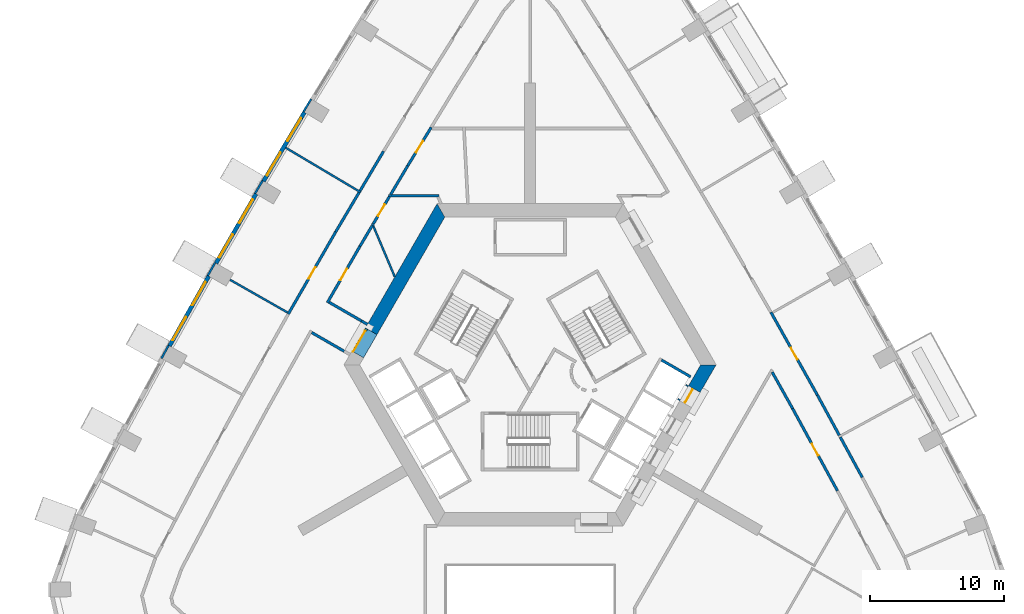
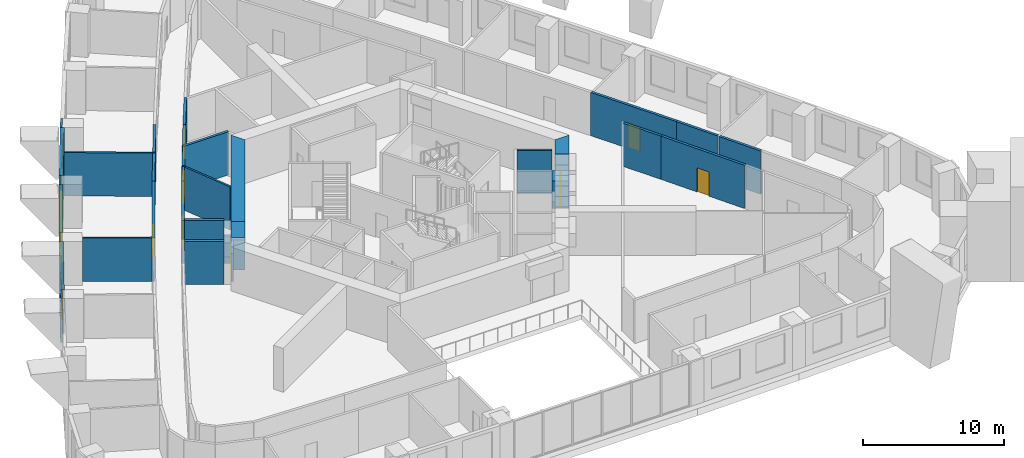
# One storey, part 7 of 14: 33 walls, 8 doors, 6 windows, 14 openings.
"""IFC4 building model written with IfcOpenShell, lengths in metres."""

from ifc_helpers import new_model, si_unit, direction, frame, frame_2d, origin, place, context, subcontext, project, spatial, polyline, rectangle, outline, extrude, material, layer, layer_set, type_object, element, fill, save


model = new_model("IFC4")

# Units and contexts
model_context = context("Model", 3, precision=1e-05, world=origin(), true_north=direction((0.0, 1.0)))
body_context = subcontext(model_context, "Body", "Model", "MODEL_VIEW")
ifc_project = project(units=[si_unit("LENGTHUNIT", "METRE"), si_unit("AREAUNIT", "SQUARE_METRE"), si_unit("VOLUMEUNIT", "CUBIC_METRE"), si_unit("PLANEANGLEUNIT", "RADIAN"), si_unit("MASSUNIT", "GRAM", prefix="KILO")], contexts=[model_context])

# Site, building, storey
site_placement = place(None, origin())
site = spatial("IfcSite", under=ifc_project, at=site_placement, CompositionType="ELEMENT")
building_placement = place(site_placement, origin())
building = spatial("IfcBuilding", under=site, at=building_placement, Name="Entoto Arch Interchange Tower", CompositionType="ELEMENT")
storey_placement = place(building_placement, frame((0.0, 0.0, 176.0)))
storey = spatial("IfcBuildingStorey", under=building, at=storey_placement, Name="L39", CompositionType="ELEMENT", Elevation=176.0)

# Wall, opening, door
ifc_material_1 = material(Name="Reinforced concrete C40/50", Category="concrete")
ifc_layer_1 = layer(ifc_material_1, 0.199951171875)
ifc_layer_set_1 = layer_set([ifc_layer_1], Name="Reinforced concrete C40/50")
wall_type_1 = type_object("IfcWallType", Name="CORE GAP INFILL WALL", PredefinedType="PARTITIONING", material=ifc_layer_set_1)
wall_1_placement = place(storey_placement, frame((-12.179931640625, 5.201904296875, 0.0), z_axis=(0.0, 0.0, 1.0), x_axis=(-0.50002537861, -0.866010750942, 0.0)))
wall_1 = element("IfcWall", 1, at=wall_1_placement, inside=storey, type_object=wall_type_1, Name="wall:L39:gap3", PredefinedType="PARTITIONING", context=body_context, shape_type="SweptSolid", body=[
    extrude(rectangle(XDim=2.0, YDim=0.199951171875, at=frame_2d((1.0, 0.0))), origin(), (0.0, 0.0, 1.0), 2.39990234375),
])
opening_1_placement = place(wall_1_placement, frame((0.18994140625, 0.0, 0.0)))
opening_1 = element("IfcOpeningElement", 2, at=opening_1_placement, cuts=wall_1, Name="Opening L39-D93", PredefinedType="OPENING", context=body_context, shape_type="SweptSolid", body=[
    extrude(rectangle(XDim=1.800048828125, YDim=2.10009765625, at=frame_2d((0.89990234375, 1.050048828125))), frame((0.0, 0.10986328125, 0.0), z_axis=(0.0, -1.0, 0.0), x_axis=(1.0, 0.0, 0.0)), (0.0, 0.0, 1.0), 0.219970703125),
])
ifc_material_2 = material(Name="Fire-rated Steel S235 door and frame", Category="steel")
door_type_1 = type_object("IfcDoorType", Name="DOOR FD-18 1800x2100", OperationType="DOUBLE_DOOR_SINGLE_SWING", PredefinedType="DOOR", material=ifc_material_2)
door_1_placement = place(opening_1_placement, origin())
door_1 = element("IfcDoor", 3, at=door_1_placement, inside=storey, type_object=door_type_1, Name="door:L39:gap3", OperationType="DOUBLE_DOOR_SINGLE_SWING", OverallHeight=2.10009765625, OverallWidth=1.800048828125, PredefinedType="DOOR", context=body_context, shape_type="SweptSolid", body=[
    extrude(rectangle(XDim=1.800048828125, YDim=2.10009765625, at=frame_2d((0.89990234375, 1.050048828125))), frame((0.0, 0.02490234375, 0.0), z_axis=(0.0, -1.0, 0.0), x_axis=(1.0, 0.0, 0.0)), (0.0, 0.0, 1.0), 0.050048828125),
])
fill(opening_1, door_1)

# Walls
ifc_material_3 = material(Name="Concrete C50/60", Category="concrete")
ifc_layer_2 = layer(ifc_material_3, 1.0)
ifc_layer_set_2 = layer_set([ifc_layer_2], Name="Concrete C50/60")
wall_type_2 = type_object("IfcWallType", Name="Core wall 1000 C50/60", PredefinedType="SHEAR", material=ifc_layer_set_2)
wall_2_placement = place(storey_placement, frame((0.0, 0.0, -0.39990234375)))
element("IfcWall", 4, at=wall_2_placement, inside=storey, type_object=wall_type_2, Name="Core wall NW L39", PredefinedType="SHEAR", context=body_context, shape_type="SweptSolid", body=[
    extrude(outline(polyline([(-12.26708984375, 5.251953125), (-11.402099609375, 4.751953125), (-6.35107421875, 13.5), (-6.927978515625, 14.5), (-12.26708984375, 5.251953125)])), origin(), (0.0, 0.0, 1.0), 4.199951171875),
])
wall_3_placement = place(storey_placement, frame((0.0, 0.0, 3.60009765625)))
element("IfcWall", 5, at=wall_3_placement, inside=storey, type_object=wall_type_2, Name="Core wall lintel NW L39", PredefinedType="SHEAR", context=body_context, shape_type="SweptSolid", body=[
    extrude(outline(polyline([(-13.26708984375, 3.52001953125), (-12.402099609375, 3.02001953125), (-11.402099609375, 4.751953125), (-12.26708984375, 5.251953125), (-13.26708984375, 3.52001953125)])), origin(), (0.0, 0.0, 1.0), 0.199951171875),
])
wall_4_placement = place(storey_placement, frame((0.0, 0.0, -0.39990234375)))
element("IfcWall", 6, at=wall_4_placement, inside=storey, type_object=wall_type_2, Name="Core wall SE L39", PredefinedType="SHEAR", context=body_context, shape_type="SweptSolid", body=[
    extrude(outline(polyline([(11.801025390625, 0.93994140625), (12.6669921875, 0.43994140625), (13.85595703125, 2.5), (12.701904296875, 2.5), (11.801025390625, 0.93994140625)])), origin(), (0.0, 0.0, 1.0), 4.199951171875),
])

# Wall, opening, door
ifc_material_4 = material(Name="Concrete C40/50", Category="concrete")
ifc_layer_3 = layer(ifc_material_4, 1.199951171875)
ifc_layer_set_3 = layer_set([ifc_layer_3], Name="Concrete C40/50")
wall_type_3 = type_object("IfcWallType", Name="LIFT LANDING INFILL WALL", PredefinedType="STANDARD", material=ifc_layer_set_3)
wall_5_placement = place(storey_placement, frame((11.498046875, -0.385009765625, 0.0), z_axis=(0.0, 0.0, 1.0), x_axis=(0.500221244143, 0.865897630733, 0.0)))
wall_5 = element("IfcWall", 7, at=wall_5_placement, inside=storey, type_object=wall_type_3, Name="Lift landing infill wall LR8 L39", PredefinedType="STANDARD", context=body_context, shape_type="SweptSolid", body=[
    extrude(rectangle(XDim=1.29931640625, YDim=1.199951171875, at=frame_2d((0.649658203125, 0.0))), origin(), (0.0, 0.0, 1.0), 2.39990234375),
])
opening_2_placement = place(wall_5_placement, frame((0.10009765625, 0.0, 0.0)))
opening_2 = element("IfcOpeningElement", 8, at=opening_2_placement, cuts=wall_5, Name="Opening LD-LR8-L39", PredefinedType="OPENING", context=body_context, shape_type="SweptSolid", body=[
    extrude(rectangle(XDim=1.10009765625, YDim=2.300048828125, at=frame_2d((0.550048828125, 1.14990234375))), frame((0.0, 0.60986328125, 0.0), z_axis=(0.0, -1.0, 0.0), x_axis=(1.0, 0.0, 0.0)), (0.0, 0.0, 1.0), 1.219970703125),
])
ifc_material_5 = material(Name="Stainless steel 1.4301 panels", Category="steel")
door_type_2 = type_object("IfcDoorType", Name="LIFT LANDING DOOR LD2 1100x2300", OperationType="SLIDING_TO_LEFT", PredefinedType="DOOR", material=ifc_material_5)
door_2_placement = place(opening_2_placement, origin())
door_2 = element("IfcDoor", 9, at=door_2_placement, inside=storey, type_object=door_type_2, Name="Lift landing door LR8 L39", OperationType="SLIDING_TO_LEFT", OverallHeight=2.300048828125, OverallWidth=1.10009765625, PredefinedType="DOOR", context=body_context, shape_type="SweptSolid", body=[
    extrude(rectangle(XDim=1.10009765625, YDim=2.300048828125, at=frame_2d((0.550048828125, 1.14990234375))), frame((0.0, 0.02490234375, 0.0), z_axis=(0.0, -1.0, 0.0), x_axis=(1.0, 0.0, 0.0)), (0.0, 0.0, 1.0), 0.050048828125),
])
fill(opening_2, door_2)

# Walls
ifc_layer_4 = layer(ifc_material_4, 0.199951171875)
ifc_layer_set_4 = layer_set([ifc_layer_4], Name="Concrete C40/50")
wall_type_4 = type_object("IfcWallType", Name="LIFT SHAFT WALL 200", PredefinedType="STANDARD", material=ifc_layer_set_4)
wall_6_placement = place(storey_placement, frame((9.7880859375, 2.85302734375, 0.0), z_axis=(0.0, 0.0, 1.0), x_axis=(0.865998541277, -0.500046524342, 0.0)))
element("IfcWall", 10, at=wall_6_placement, inside=storey, type_object=wall_type_4, Name="Shaft wall SE3 cross 5", PredefinedType="STANDARD", context=body_context, shape_type="SweptSolid", body=[
    extrude(rectangle(XDim=2.499755859375, YDim=0.199951171875, at=frame_2d((1.25, 0.0))), origin(), (0.0, 0.0, 1.0), 3.75),
])
ifc_material_6 = material(Name="Gypsum board partition on steel studs", Category="steel")
ifc_layer_5 = layer(ifc_material_6, 0.14990234375)
ifc_layer_set_5 = layer_set([ifc_layer_5], Name="Gypsum board partition on steel studs")
wall_type_5 = type_object("IfcWallType", Name="PARTITION 150", PredefinedType="PARTITIONING", material=ifc_layer_set_5)
wall_7_placement = place(storey_placement, frame((-10.075927734375, 9.047119140625, 0.0), z_axis=(0.0, 0.0, 1.0), x_axis=(-0.389223462263, 0.921143363665, 0.0)))
element("IfcWall", 11, at=wall_7_placement, inside=storey, type_object=wall_type_5, Name="wall:L39:p082", PredefinedType="PARTITIONING", context=body_context, shape_type="SweptSolid", body=[
    extrude(rectangle(XDim=4.32177734375, YDim=0.14990234375, at=frame_2d((2.160888671875, 0.0))), origin(), (0.0, 0.0, 1.0), 3.75),
])
wall_8_placement = place(storey_placement, frame((-12.613037109375, 15.347900390625, 0.0), z_axis=(0.0, 0.0, 1.0), x_axis=(-0.85976815765, 0.510684555368, 0.0)))
element("IfcWall", 12, at=wall_8_placement, inside=storey, type_object=wall_type_5, Name="wall:L39:p122", PredefinedType="PARTITIONING", context=body_context, shape_type="SweptSolid", body=[
    extrude(rectangle(XDim=6.499267578125, YDim=0.14990234375, at=frame_2d((3.24951171875, 0.0))), origin(), (0.0, 0.0, 1.0), 3.75),
])
wall_9_placement = place(storey_placement, frame((-18.06201171875, 6.39501953125, 0.0), z_axis=(0.0, 0.0, 1.0), x_axis=(-0.869113540562, 0.494612629854, 0.0)))
element("IfcWall", 13, at=wall_9_placement, inside=storey, type_object=wall_type_5, Name="wall:L39:p123", PredefinedType="PARTITIONING", context=body_context, shape_type="SweptSolid", body=[
    extrude(rectangle(XDim=4.92919921875, YDim=0.14990234375, at=frame_2d((2.464599609375, 0.0))), origin(), (0.0, 0.0, 1.0), 3.75),
])

# Wall, opening, door
ifc_layer_6 = layer(ifc_material_6, 0.199951171875)
ifc_layer_set_6 = layer_set([ifc_layer_6], Name="Gypsum board partition on steel studs")
wall_type_6 = type_object("IfcWallType", Name="PARTITION 200", PredefinedType="PARTITIONING", material=ifc_layer_set_6)
wall_10_placement = place(storey_placement, frame((-10.48388671875, 15.013916015625, 0.0), z_axis=(0.0, 0.0, 1.0), x_axis=(-0.510627855782, -0.859801833506, 0.0)))
wall_10 = element("IfcWall", 14, at=wall_10_placement, inside=storey, type_object=wall_type_6, Name="wall:L39:p001", PredefinedType="PARTITIONING", context=body_context, shape_type="SweptSolid", body=[
    extrude(rectangle(XDim=2.34228515625, YDim=0.199951171875, at=frame_2d((1.171142578125, 0.0))), origin(), (0.0, 0.0, 1.0), 3.75),
])
opening_3_placement = place(wall_10_placement, frame((0.6708984375, 0.0, 0.0)))
opening_3 = element("IfcOpeningElement", 15, at=opening_3_placement, cuts=wall_10, Name="Opening L39-D28", PredefinedType="OPENING", context=body_context, shape_type="SweptSolid", body=[
    extrude(rectangle(XDim=1.0, YDim=2.10009765625, at=frame_2d((0.5, 1.050048828125))), frame((0.0, 0.10986328125, 0.0), z_axis=(0.0, -1.0, 0.0), x_axis=(1.0, 0.0, 0.0)), (0.0, 0.0, 1.0), 0.219970703125),
])
ifc_material_7 = material(Name="Timber door leaf in Steel S235 frame", Category="steel")
door_type_3 = type_object("IfcDoorType", Name="DOOR DS-10 1000x2100", OperationType="SINGLE_SWING_LEFT", PredefinedType="DOOR", material=ifc_material_7)
door_3_placement = place(opening_3_placement, origin())
door_3 = element("IfcDoor", 16, at=door_3_placement, inside=storey, type_object=door_type_3, Name="door:L39:28", OperationType="SINGLE_SWING_LEFT", OverallHeight=2.10009765625, OverallWidth=1.0, PredefinedType="DOOR", context=body_context, shape_type="SweptSolid", body=[
    extrude(rectangle(XDim=1.0, YDim=2.10009765625, at=frame_2d((0.5, 1.050048828125))), frame((0.0, 0.02490234375, 0.0), z_axis=(0.0, -1.0, 0.0), x_axis=(1.0, 0.0, 0.0)), (0.0, 0.0, 1.0), 0.050048828125),
])
fill(opening_3, door_3)

# Wall
wall_11_placement = place(storey_placement, frame((-11.757080078125, 12.87109375, 0.0), z_axis=(0.0, 0.0, 1.0), x_axis=(-0.510614478889, -0.85980977777, 0.0)))
element("IfcWall", 17, at=wall_11_placement, inside=storey, type_object=wall_type_6, Name="wall:L39:p002", PredefinedType="PARTITIONING", context=body_context, shape_type="SweptSolid", body=[
    extrude(rectangle(XDim=1.787841796875, YDim=0.199951171875, at=frame_2d((0.89404296875, 0.0))), origin(), (0.0, 0.0, 1.0), 3.75),
])

# Wall, opening, door
wall_12_placement = place(storey_placement, frame((-12.669921875, 11.333984375, 0.0), z_axis=(0.0, 0.0, 1.0), x_axis=(-0.500035159864, -0.866005103276, 0.0)))
wall_12 = element("IfcWall", 18, at=wall_12_placement, inside=storey, type_object=wall_type_6, Name="wall:L39:p003", PredefinedType="PARTITIONING", context=body_context, shape_type="SweptSolid", body=[
    extrude(rectangle(XDim=4.865966796875, YDim=0.199951171875, at=frame_2d((2.43310546875, 0.0))), origin(), (0.0, 0.0, 1.0), 3.75),
])
opening_4_placement = place(wall_12_placement, frame((1.93310546875, 0.0, 0.0)))
opening_4 = element("IfcOpeningElement", 19, at=opening_4_placement, cuts=wall_12, Name="Opening L39-D29", PredefinedType="OPENING", context=body_context, shape_type="SweptSolid", body=[
    extrude(rectangle(XDim=1.0, YDim=2.10009765625, at=frame_2d((0.5, 1.050048828125))), frame((0.0, 0.10986328125, 0.0), z_axis=(0.0, -1.0, 0.0), x_axis=(1.0, 0.0, 0.0)), (0.0, 0.0, 1.0), 0.219970703125),
])
door_4_placement = place(opening_4_placement, origin())
door_4 = element("IfcDoor", 20, at=door_4_placement, inside=storey, type_object=door_type_3, Name="door:L39:29", OperationType="SINGLE_SWING_LEFT", OverallHeight=2.10009765625, OverallWidth=1.0, PredefinedType="DOOR", context=body_context, shape_type="SweptSolid", body=[
    extrude(rectangle(XDim=1.0, YDim=2.10009765625, at=frame_2d((0.5, 1.050048828125))), frame((0.0, 0.02490234375, 0.0), z_axis=(0.0, -1.0, 0.0), x_axis=(1.0, 0.0, 0.0)), (0.0, 0.0, 1.0), 0.050048828125),
])
fill(opening_4, door_4)

# Wall
wall_13_placement = place(storey_placement, frame((-14.966064453125, 7.156982421875, 0.0), z_axis=(0.0, 0.0, 1.0), x_axis=(0.86600487494, -0.500035555316, 0.0)))
element("IfcWall", 21, at=wall_13_placement, inside=storey, type_object=wall_type_6, Name="wall:L39:p004", PredefinedType="PARTITIONING", context=body_context, shape_type="SweptSolid", body=[
    extrude(rectangle(XDim=2.789794921875, YDim=0.199951171875, at=frame_2d((1.39501953125, 0.0))), origin(), (0.0, 0.0, 1.0), 3.75),
])

# Wall, opening, door
wall_14_placement = place(storey_placement, frame((-7.364990234375, 20.18505859375, 0.0), z_axis=(0.0, 0.0, 1.0), x_axis=(-0.521352973407, -0.853341125881, 0.0)))
wall_14 = element("IfcWall", 22, at=wall_14_placement, inside=storey, type_object=wall_type_6, Name="wall:L39:p010", PredefinedType="PARTITIONING", context=body_context, shape_type="SweptSolid", body=[
    extrude(rectangle(XDim=3.358642578125, YDim=0.199951171875, at=frame_2d((1.67919921875, 0.0))), origin(), (0.0, 0.0, 1.0), 3.75),
])
opening_5_placement = place(wall_14_placement, frame((1.179931640625, 0.0, 0.0)))
opening_5 = element("IfcOpeningElement", 23, at=opening_5_placement, cuts=wall_14, Name="Opening L39-D24", PredefinedType="OPENING", context=body_context, shape_type="SweptSolid", body=[
    extrude(rectangle(XDim=1.0, YDim=2.10009765625, at=frame_2d((0.5, 1.050048828125))), frame((0.0, 0.10986328125, 0.0), z_axis=(0.0, -1.0, 0.0), x_axis=(1.0, 0.0, 0.0)), (0.0, 0.0, 1.0), 0.219970703125),
])
door_5_placement = place(opening_5_placement, origin())
door_5 = element("IfcDoor", 24, at=door_5_placement, inside=storey, type_object=door_type_3, Name="door:L39:24", OperationType="SINGLE_SWING_LEFT", OverallHeight=2.10009765625, OverallWidth=1.0, PredefinedType="DOOR", context=body_context, shape_type="SweptSolid", body=[
    extrude(rectangle(XDim=1.0, YDim=2.10009765625, at=frame_2d((0.5, 1.050048828125))), frame((0.0, 0.02490234375, 0.0), z_axis=(0.0, -1.0, 0.0), x_axis=(1.0, 0.0, 0.0)), (0.0, 0.0, 1.0), 0.050048828125),
])
fill(opening_5, door_5)

# Wall
wall_15_placement = place(storey_placement, frame((-9.115966796875, 17.319091796875, 0.0), z_axis=(0.0, 0.0, 1.0), x_axis=(-0.510422773569, -0.859923596735, 0.0)))
element("IfcWall", 25, at=wall_15_placement, inside=storey, type_object=wall_type_6, Name="wall:L39:p011", PredefinedType="PARTITIONING", context=body_context, shape_type="SweptSolid", body=[
    extrude(rectangle(XDim=2.48046875, YDim=0.199951171875, at=frame_2d((1.240234375, 0.0))), origin(), (0.0, 0.0, 1.0), 3.75),
])

# Wall, opening, door
wall_16_placement = place(storey_placement, frame((22.887939453125, -6.8779296875, 0.0), z_axis=(0.0, 0.0, 1.0), x_axis=(-0.478665365973, 0.877997418799, 0.0)))
wall_16 = element("IfcWall", 26, at=wall_16_placement, inside=storey, type_object=wall_type_6, Name="wall:L39:p023", PredefinedType="PARTITIONING", context=body_context, shape_type="SweptSolid", body=[
    extrude(rectangle(XDim=6.961181640625, YDim=0.199951171875, at=frame_2d((3.48046875, 0.0))), origin(), (0.0, 0.0, 1.0), 3.75),
])
opening_6_placement = place(wall_16_placement, frame((2.98095703125, 0.0, 0.0)))
opening_6 = element("IfcOpeningElement", 27, at=opening_6_placement, cuts=wall_16, Name="Opening L39-D20", PredefinedType="OPENING", context=body_context, shape_type="SweptSolid", body=[
    extrude(rectangle(XDim=1.0, YDim=2.10009765625, at=frame_2d((0.5, 1.050048828125))), frame((0.0, 0.10986328125, 0.0), z_axis=(0.0, -1.0, 0.0), x_axis=(1.0, 0.0, 0.0)), (0.0, 0.0, 1.0), 0.219970703125),
])
door_6_placement = place(opening_6_placement, origin())
door_6 = element("IfcDoor", 28, at=door_6_placement, inside=storey, type_object=door_type_3, Name="door:L39:20", OperationType="SINGLE_SWING_LEFT", OverallHeight=2.10009765625, OverallWidth=1.0, PredefinedType="DOOR", context=body_context, shape_type="SweptSolid", body=[
    extrude(rectangle(XDim=1.0, YDim=2.10009765625, at=frame_2d((0.5, 1.050048828125))), frame((0.0, 0.02490234375, 0.0), z_axis=(0.0, -1.0, 0.0), x_axis=(1.0, 0.0, 0.0)), (0.0, 0.0, 1.0), 0.050048828125),
])
fill(opening_6, door_6)

# Walls
wall_17_placement = place(storey_placement, frame((19.555908203125, -0.76611328125, 0.0), z_axis=(0.0, 0.0, 1.0), x_axis=(-0.489198731197, 0.872172346154, 0.0)))
element("IfcWall", 29, at=wall_17_placement, inside=storey, type_object=wall_type_6, Name="wall:L39:p024", PredefinedType="PARTITIONING", context=body_context, shape_type="SweptSolid", body=[
    extrude(rectangle(XDim=3.12109375, YDim=0.199951171875, at=frame_2d((1.560546875, 0.0))), origin(), (0.0, 0.0, 1.0), 3.75),
])
wall_18_placement = place(storey_placement, frame((23.10205078125, -2.884033203125, 0.0), z_axis=(0.0, 0.0, 1.0), x_axis=(0.478646929322, -0.878007469815, 0.0)))
element("IfcWall", 30, at=wall_18_placement, inside=storey, type_object=wall_type_6, Name="wall:L39:p049", PredefinedType="PARTITIONING", context=body_context, shape_type="SweptSolid", body=[
    extrude(rectangle(XDim=3.41796875, YDim=0.199951171875, at=frame_2d((1.708984375, 0.0))), origin(), (0.0, 0.0, 1.0), 3.75),
])

# Wall, opening, door
wall_19_placement = place(storey_placement, frame((17.93798828125, 6.410888671875, 0.0), z_axis=(0.0, 0.0, 1.0), x_axis=(0.48930419744, -0.872113182086, 0.0)))
wall_19 = element("IfcWall", 31, at=wall_19_placement, inside=storey, type_object=wall_type_6, Name="wall:L39:p051", PredefinedType="PARTITIONING", context=body_context, shape_type="SweptSolid", body=[
    extrude(rectangle(XDim=7.063232421875, YDim=0.199951171875, at=frame_2d((3.53173828125, 0.0))), origin(), (0.0, 0.0, 1.0), 3.75),
])
opening_7_placement = place(wall_19_placement, frame((3.031982421875, 0.0, 0.0)))
opening_7 = element("IfcOpeningElement", 32, at=opening_7_placement, cuts=wall_19, Name="Opening L39-D05", PredefinedType="OPENING", context=body_context, shape_type="SweptSolid", body=[
    extrude(rectangle(XDim=1.0, YDim=2.10009765625, at=frame_2d((0.5, 1.050048828125))), frame((0.0, 0.10986328125, 0.0), z_axis=(0.0, -1.0, 0.0), x_axis=(1.0, 0.0, 0.0)), (0.0, 0.0, 1.0), 0.219970703125),
])
door_7_placement = place(opening_7_placement, origin())
door_7 = element("IfcDoor", 33, at=door_7_placement, inside=storey, type_object=door_type_3, Name="door:L39:05", OperationType="SINGLE_SWING_LEFT", OverallHeight=2.10009765625, OverallWidth=1.0, PredefinedType="DOOR", context=body_context, shape_type="SweptSolid", body=[
    extrude(rectangle(XDim=1.0, YDim=2.10009765625, at=frame_2d((0.5, 1.050048828125))), frame((0.0, 0.02490234375, 0.0), z_axis=(0.0, -1.0, 0.0), x_axis=(1.0, 0.0, 0.0)), (0.0, 0.0, 1.0), 0.050048828125),
])
fill(opening_7, door_7)

# Walls
wall_20_placement = place(storey_placement, frame((21.39404296875, 0.2509765625, 0.0), z_axis=(0.0, 0.0, 1.0), x_axis=(0.478406883784, -0.878138288397, 0.0)))
element("IfcWall", 34, at=wall_20_placement, inside=storey, type_object=wall_type_6, Name="wall:L39:p052", PredefinedType="PARTITIONING", context=body_context, shape_type="SweptSolid", body=[
    extrude(rectangle(XDim=3.419677734375, YDim=0.199951171875, at=frame_2d((1.7099609375, 0.0))), origin(), (0.0, 0.0, 1.0), 3.75),
])
wall_21_placement = place(storey_placement, frame((-12.659912109375, 15.462890625, 0.0), z_axis=(0.0, 0.0, 1.0), x_axis=(0.510477693133, 0.85989099589, 0.0)))
element("IfcWall", 35, at=wall_21_placement, inside=storey, type_object=wall_type_6, Name="wall:L39:p063", PredefinedType="PARTITIONING", context=body_context, shape_type="SweptSolid", body=[
    extrude(rectangle(XDim=3.418212890625, YDim=0.199951171875, at=frame_2d((1.708984375, 0.0))), origin(), (0.0, 0.0, 1.0), 3.75),
])

# Wall, opening, door
wall_22_placement = place(storey_placement, frame((-18.011962890625, 6.280029296875, 0.0), z_axis=(0.0, 0.0, 1.0), x_axis=(0.49995092924, 0.866053732947, 0.0)))
wall_22 = element("IfcWall", 36, at=wall_22_placement, inside=storey, type_object=wall_type_6, Name="wall:L39:p065", PredefinedType="PARTITIONING", context=body_context, shape_type="SweptSolid", body=[
    extrude(rectangle(XDim=7.060791015625, YDim=0.199951171875, at=frame_2d((3.5302734375, 0.0))), origin(), (0.0, 0.0, 1.0), 3.75),
])
opening_8_placement = place(wall_22_placement, frame((3.030029296875, 0.0, 0.0)))
opening_8 = element("IfcOpeningElement", 37, at=opening_8_placement, cuts=wall_22, Name="Opening L39-D12", PredefinedType="OPENING", context=body_context, shape_type="SweptSolid", body=[
    extrude(rectangle(XDim=1.0, YDim=2.10009765625, at=frame_2d((0.5, 1.050048828125))), frame((0.0, 0.10986328125, 0.0), z_axis=(0.0, -1.0, 0.0), x_axis=(1.0, 0.0, 0.0)), (0.0, 0.0, 1.0), 0.219970703125),
])
door_8_placement = place(opening_8_placement, origin())
door_8 = element("IfcDoor", 38, at=door_8_placement, inside=storey, type_object=door_type_3, Name="door:L39:12", OperationType="SINGLE_SWING_LEFT", OverallHeight=2.10009765625, OverallWidth=1.0, PredefinedType="DOOR", context=body_context, shape_type="SweptSolid", body=[
    extrude(rectangle(XDim=1.0, YDim=2.10009765625, at=frame_2d((0.5, 1.050048828125))), frame((0.0, 0.02490234375, 0.0), z_axis=(0.0, -1.0, 0.0), x_axis=(1.0, 0.0, 0.0)), (0.0, 0.0, 1.0), 0.050048828125),
])
fill(opening_8, door_8)

# Walls
wall_23_placement = place(storey_placement, frame((-14.48193359375, 12.39501953125, 0.0), z_axis=(0.0, 0.0, 1.0), x_axis=(0.51050904729, 0.859872381598, 0.0)))
element("IfcWall", 39, at=wall_23_placement, inside=storey, type_object=wall_type_6, Name="wall:L39:p066", PredefinedType="PARTITIONING", context=body_context, shape_type="SweptSolid", body=[
    extrude(rectangle(XDim=3.41796875, YDim=0.199951171875, at=frame_2d((1.708984375, 0.0))), origin(), (0.0, 0.0, 1.0), 3.75),
])
wall_24_placement = place(storey_placement, frame((-6.7919921875, 15.10009765625, 0.0), z_axis=(0.0, 0.0, 1.0), x_axis=(-1.0, 0.0, 0.0)))
element("IfcWall", 40, at=wall_24_placement, inside=storey, type_object=wall_type_6, Name="wall:L39:p083", PredefinedType="PARTITIONING", context=body_context, shape_type="SweptSolid", body=[
    extrude(rectangle(XDim=3.740966796875, YDim=0.199951171875, at=frame_2d((1.87060546875, 0.0))), origin(), (0.0, 0.0, 1.0), 3.75),
])
wall_25_placement = place(storey_placement, frame((-12.550048828125, 5.761962890625, 0.0), z_axis=(0.0, 0.0, 1.0), x_axis=(0.866071776036, -0.499919672301, 0.0)))
element("IfcWall", 41, at=wall_25_placement, inside=storey, type_object=wall_type_6, Name="wall:L39:p004", PredefinedType="PARTITIONING", context=body_context, shape_type="SweptSolid", body=[
    extrude(rectangle(XDim=0.5, YDim=0.199951171875, at=frame_2d((0.25, 0.0))), origin(), (0.0, 0.0, 1.0), 2.39990234375),
])
wall_26_placement = place(storey_placement, frame((-13.85009765625, 3.510009765625, 0.0), z_axis=(0.0, 0.0, 1.0), x_axis=(-0.866087780421, 0.49989194493, 0.0)))
element("IfcWall", 42, at=wall_26_placement, inside=storey, type_object=wall_type_6, Name="wall:L39:p039", PredefinedType="PARTITIONING", context=body_context, shape_type="SweptSolid", body=[
    extrude(rectangle(XDim=2.78466796875, YDim=0.199951171875, at=frame_2d((1.392333984375, 0.0))), origin(), (0.0, 0.0, 1.0), 3.75),
])

# Wall, openings, windows
ifc_material_8 = material(Name="Welded tuff (ignimbrite) cladding, warm buff", Category="masonry")
ifc_layer_7 = layer(ifc_material_8, 0.300048828125)
ifc_layer_set_7 = layer_set([ifc_layer_7], Name="Welded tuff (ignimbrite) cladding, warm buff")
wall_type_7 = type_object("IfcWallType", Name="STONE INFILL WALL 300", PredefinedType="STANDARD", material=ifc_layer_set_7)
wall_27_placement = place(storey_placement, frame((-16.805908203125, 21.30908203125, 0.0), z_axis=(0.0, 0.0, 1.0), x_axis=(-0.510653096173, -0.859786842984, 0.0)))
wall_27 = element("IfcWall", 43, at=wall_27_placement, inside=storey, type_object=wall_type_7, Name="Facade wall NW-03 L39", PredefinedType="STANDARD", context=body_context, shape_type="SweptSolid", body=[
    extrude(rectangle(XDim=5.968994140625, YDim=0.300048828125, at=frame_2d((2.984375, 0.0))), origin(), (0.0, 0.0, 1.0), 3.800048828125),
])
opening_9_placement = place(wall_27_placement, frame((0.491943359375, 0.0, 0.89990234375)))
opening_9 = element("IfcOpeningElement", 44, at=opening_9_placement, cuts=wall_27, Name="Opening WO-C", PredefinedType="OPENING", context=body_context, shape_type="SweptSolid", body=[
    extrude(rectangle(XDim=2.0, YDim=2.60009765625, at=frame_2d((1.0, 1.300048828125))), frame((0.0, 0.16015625, 0.0), z_axis=(0.0, -1.0, 0.0), x_axis=(1.0, 0.0, 0.0)), (0.0, 0.0, 1.0), 0.320068359375),
])
opening_10_placement = place(wall_27_placement, frame((3.47705078125, 0.0, 0.89990234375)))
opening_10 = element("IfcOpeningElement", 45, at=opening_10_placement, cuts=wall_27, Name="Opening WO-C", PredefinedType="OPENING", context=body_context, shape_type="SweptSolid", body=[
    extrude(rectangle(XDim=2.0, YDim=2.60009765625, at=frame_2d((1.0, 1.300048828125))), frame((0.0, 0.16015625, 0.0), z_axis=(0.0, -1.0, 0.0), x_axis=(1.0, 0.0, 0.0)), (0.0, 0.0, 1.0), 0.320068359375),
])
ifc_material_9 = material(Name="Clear glass, low-e double glazed", Category="glass")
window_type = type_object("IfcWindowType", Name="WINDOW WO-C 2000x2600", PartitioningType="DOUBLE_PANEL_VERTICAL", PredefinedType="WINDOW", material=ifc_material_9)
window_1_placement = place(opening_9_placement, origin())
window_1 = element("IfcWindow", 46, at=window_1_placement, inside=storey, type_object=window_type, Name="Window WO-C NW-03 L39", OverallHeight=2.60009765625, OverallWidth=2.0, PartitioningType="SINGLE_PANEL", PredefinedType="WINDOW", context=body_context, shape_type="SweptSolid", body=[
    extrude(rectangle(XDim=2.0, YDim=2.60009765625, at=frame_2d((1.0, 1.300048828125))), frame((0.0, 0.030029296875, 0.0), z_axis=(0.0, -1.0, 0.0), x_axis=(1.0, 0.0, 0.0)), (0.0, 0.0, 1.0), 0.06005859375),
])
fill(opening_9, window_1)
window_2_placement = place(opening_10_placement, origin())
window_2 = element("IfcWindow", 47, at=window_2_placement, inside=storey, type_object=window_type, Name="Window WO-C NW-03 L39", OverallHeight=2.60009765625, OverallWidth=2.0, PartitioningType="SINGLE_PANEL", PredefinedType="WINDOW", context=body_context, shape_type="SweptSolid", body=[
    extrude(rectangle(XDim=2.0, YDim=2.60009765625, at=frame_2d((1.0, 1.300048828125))), frame((0.0, 0.030029296875, 0.0), z_axis=(0.0, -1.0, 0.0), x_axis=(1.0, 0.0, 0.0)), (0.0, 0.0, 1.0), 0.06005859375),
])
fill(opening_10, window_2)

wall_28_placement = place(storey_placement, frame((-20.408935546875, 15.22998046875, 0.0), z_axis=(0.0, 0.0, 1.0), x_axis=(-0.499908916093, -0.866077984716, 0.0)))
wall_28 = element("IfcWall", 48, at=wall_28_placement, inside=storey, type_object=wall_type_7, Name="Facade wall NW-04 L39", PredefinedType="STANDARD", context=body_context, shape_type="SweptSolid", body=[
    extrude(rectangle(XDim=5.96923828125, YDim=0.300048828125, at=frame_2d((2.984619140625, 0.0))), origin(), (0.0, 0.0, 1.0), 3.800048828125),
])
opening_11_placement = place(wall_28_placement, frame((0.491943359375, 0.0, 0.89990234375)))
opening_11 = element("IfcOpeningElement", 49, at=opening_11_placement, cuts=wall_28, Name="Opening WO-C", PredefinedType="OPENING", context=body_context, shape_type="SweptSolid", body=[
    extrude(rectangle(XDim=2.0, YDim=2.60009765625, at=frame_2d((1.0, 1.300048828125))), frame((0.0, 0.16015625, 0.0), z_axis=(0.0, -1.0, 0.0), x_axis=(1.0, 0.0, 0.0)), (0.0, 0.0, 1.0), 0.320068359375),
])
opening_12_placement = place(wall_28_placement, frame((3.47705078125, 0.0, 0.89990234375)))
opening_12 = element("IfcOpeningElement", 50, at=opening_12_placement, cuts=wall_28, Name="Opening WO-C", PredefinedType="OPENING", context=body_context, shape_type="SweptSolid", body=[
    extrude(rectangle(XDim=2.0, YDim=2.60009765625, at=frame_2d((1.0, 1.300048828125))), frame((0.0, 0.16015625, 0.0), z_axis=(0.0, -1.0, 0.0), x_axis=(1.0, 0.0, 0.0)), (0.0, 0.0, 1.0), 0.320068359375),
])
window_3_placement = place(opening_11_placement, origin())
window_3 = element("IfcWindow", 51, at=window_3_placement, inside=storey, type_object=window_type, Name="Window WO-C NW-04 L39", OverallHeight=2.60009765625, OverallWidth=2.0, PartitioningType="SINGLE_PANEL", PredefinedType="WINDOW", context=body_context, shape_type="SweptSolid", body=[
    extrude(rectangle(XDim=2.0, YDim=2.60009765625, at=frame_2d((1.0, 1.300048828125))), frame((0.0, 0.030029296875, 0.0), z_axis=(0.0, -1.0, 0.0), x_axis=(1.0, 0.0, 0.0)), (0.0, 0.0, 1.0), 0.06005859375),
])
fill(opening_11, window_3)
window_4_placement = place(opening_12_placement, origin())
window_4 = element("IfcWindow", 52, at=window_4_placement, inside=storey, type_object=window_type, Name="Window WO-C NW-04 L39", OverallHeight=2.60009765625, OverallWidth=2.0, PartitioningType="SINGLE_PANEL", PredefinedType="WINDOW", context=body_context, shape_type="SweptSolid", body=[
    extrude(rectangle(XDim=2.0, YDim=2.60009765625, at=frame_2d((1.0, 1.300048828125))), frame((0.0, 0.030029296875, 0.0), z_axis=(0.0, -1.0, 0.0), x_axis=(1.0, 0.0, 0.0)), (0.0, 0.0, 1.0), 0.06005859375),
])
fill(opening_12, window_4)

wall_29_placement = place(storey_placement, frame((-23.93603515625, 9.10595703125, 0.0), z_axis=(0.0, 0.0, 1.0), x_axis=(-0.489305602904, -0.872112393541, 0.0)))
wall_29 = element("IfcWall", 53, at=wall_29_placement, inside=storey, type_object=wall_type_7, Name="Facade wall NW-05 L39", PredefinedType="STANDARD", context=body_context, shape_type="SweptSolid", body=[
    extrude(rectangle(XDim=5.969482421875, YDim=0.300048828125, at=frame_2d((2.98486328125, 0.0))), origin(), (0.0, 0.0, 1.0), 3.800048828125),
])
opening_13_placement = place(wall_29_placement, frame((0.491943359375, 0.0, 0.89990234375)))
opening_13 = element("IfcOpeningElement", 54, at=opening_13_placement, cuts=wall_29, Name="Opening WO-C", PredefinedType="OPENING", context=body_context, shape_type="SweptSolid", body=[
    extrude(rectangle(XDim=2.0, YDim=2.60009765625, at=frame_2d((1.0, 1.300048828125))), frame((0.0, 0.16015625, 0.0), z_axis=(0.0, -1.0, 0.0), x_axis=(1.0, 0.0, 0.0)), (0.0, 0.0, 1.0), 0.320068359375),
])
opening_14_placement = place(wall_29_placement, frame((3.47705078125, 0.0, 0.89990234375)))
opening_14 = element("IfcOpeningElement", 55, at=opening_14_placement, cuts=wall_29, Name="Opening WO-C", PredefinedType="OPENING", context=body_context, shape_type="SweptSolid", body=[
    extrude(rectangle(XDim=2.0, YDim=2.60009765625, at=frame_2d((1.0, 1.300048828125))), frame((0.0, 0.16015625, 0.0), z_axis=(0.0, -1.0, 0.0), x_axis=(1.0, 0.0, 0.0)), (0.0, 0.0, 1.0), 0.320068359375),
])
window_5_placement = place(opening_13_placement, origin())
window_5 = element("IfcWindow", 56, at=window_5_placement, inside=storey, type_object=window_type, Name="Window WO-C NW-05 L39", OverallHeight=2.60009765625, OverallWidth=2.0, PartitioningType="SINGLE_PANEL", PredefinedType="WINDOW", context=body_context, shape_type="SweptSolid", body=[
    extrude(rectangle(XDim=2.0, YDim=2.60009765625, at=frame_2d((1.0, 1.300048828125))), frame((0.0, 0.030029296875, 0.0), z_axis=(0.0, -1.0, 0.0), x_axis=(1.0, 0.0, 0.0)), (0.0, 0.0, 1.0), 0.06005859375),
])
fill(opening_13, window_5)
window_6_placement = place(opening_14_placement, origin())
window_6 = element("IfcWindow", 57, at=window_6_placement, inside=storey, type_object=window_type, Name="Window WO-C NW-05 L39", OverallHeight=2.60009765625, OverallWidth=2.0, PartitioningType="SINGLE_PANEL", PredefinedType="WINDOW", context=body_context, shape_type="SweptSolid", body=[
    extrude(rectangle(XDim=2.0, YDim=2.60009765625, at=frame_2d((1.0, 1.300048828125))), frame((0.0, 0.030029296875, 0.0), z_axis=(0.0, -1.0, 0.0), x_axis=(1.0, 0.0, 0.0)), (0.0, 0.0, 1.0), 0.06005859375),
])
fill(opening_14, window_6)

# Walls
ifc_layer_8 = layer(ifc_material_8, 0.14990234375)
ifc_layer_set_8 = layer_set([ifc_layer_8], Name="Welded tuff (ignimbrite) cladding, warm buff")
wall_type_8 = type_object("IfcWallType", Name="STONE PIER CLADDING 150", PredefinedType="STANDARD", material=ifc_layer_set_8)
wall_30_placement = place(storey_placement, frame((-16.304931640625, 22.291015625, 0.0), z_axis=(0.0, 0.0, 1.0), x_axis=(-0.518178754102, -0.855272341888, 0.0)))
element("IfcWall", 58, at=wall_30_placement, inside=storey, type_object=wall_type_8, Name="Stone pier NW03 L39", PredefinedType="STANDARD", context=body_context, shape_type="SweptSolid", body=[
    extrude(rectangle(XDim=1.10009765625, YDim=0.14990234375, at=frame_2d((0.550048828125, 0.0))), origin(), (0.0, 0.0, 1.0), 3.800048828125),
])
wall_31_placement = place(storey_placement, frame((-19.9208984375, 16.217041015625, 0.0), z_axis=(0.0, 0.0, 1.0), x_axis=(-0.50667077411, -0.862139621327, 0.0)))
element("IfcWall", 59, at=wall_31_placement, inside=storey, type_object=wall_type_8, Name="Stone pier NW04 L39", PredefinedType="STANDARD", context=body_context, shape_type="SweptSolid", body=[
    extrude(rectangle(XDim=1.099609375, YDim=0.14990234375, at=frame_2d((0.5498046875, 0.0))), origin(), (0.0, 0.0, 1.0), 3.800048828125),
])
wall_32_placement = place(storey_placement, frame((-23.4609375, 10.10009765625, 0.0), z_axis=(0.0, 0.0, 1.0), x_axis=(-0.494512685492, -0.869170411305, 0.0)))
element("IfcWall", 60, at=wall_32_placement, inside=storey, type_object=wall_type_8, Name="Stone pier NW05 L39", PredefinedType="STANDARD", context=body_context, shape_type="SweptSolid", body=[
    extrude(rectangle(XDim=1.099853515625, YDim=0.14990234375, at=frame_2d((0.5498046875, 0.0))), origin(), (0.0, 0.0, 1.0), 3.800048828125),
])
wall_33_placement = place(storey_placement, frame((-26.926025390625, 3.93896484375, 0.0), z_axis=(0.0, 0.0, 1.0), x_axis=(-0.481850587491, -0.876253394478, 0.0)))
element("IfcWall", 61, at=wall_33_placement, inside=storey, type_object=wall_type_8, Name="Stone pier NW06 L39", PredefinedType="STANDARD", context=body_context, shape_type="SweptSolid", body=[
    extrude(rectangle(XDim=1.10009765625, YDim=0.14990234375, at=frame_2d((0.550048828125, 0.0))), origin(), (0.0, 0.0, 1.0), 3.800048828125),
])

save(model, "model.ifc")
